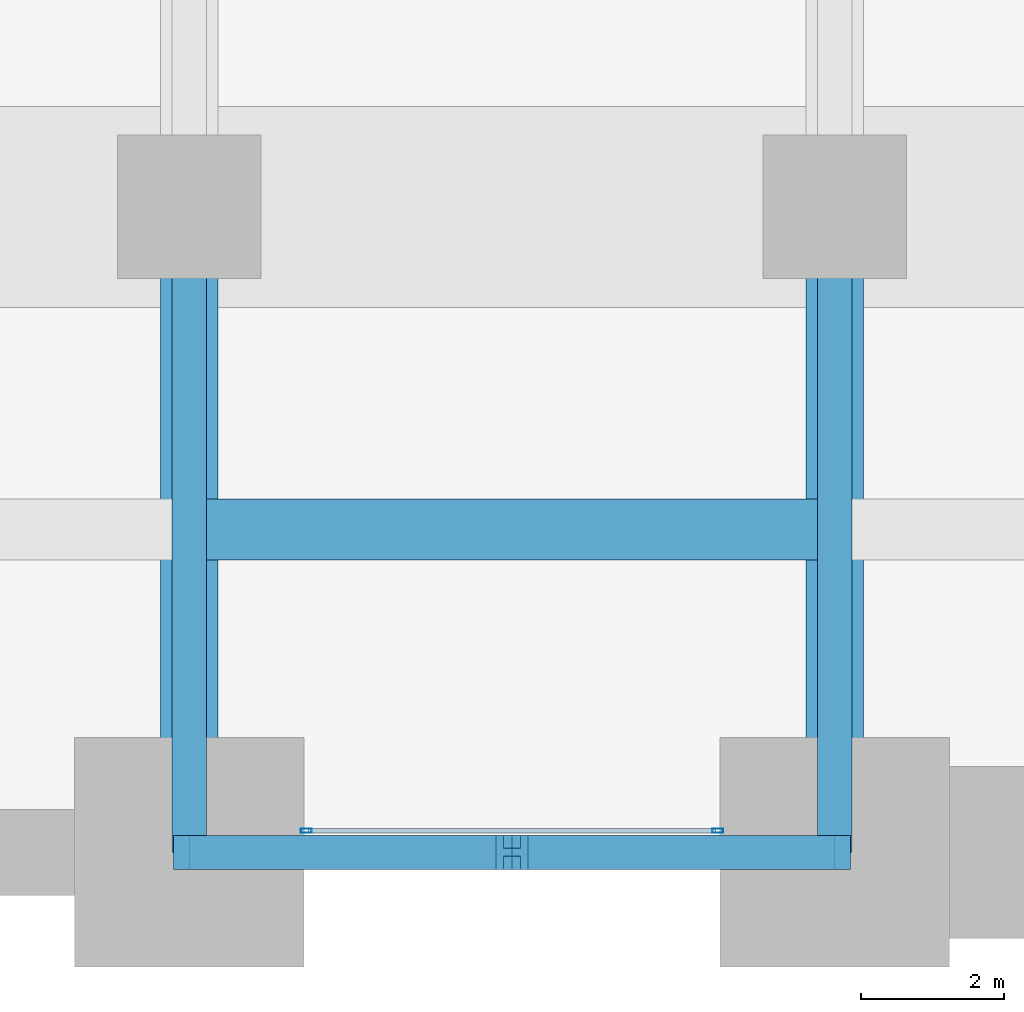
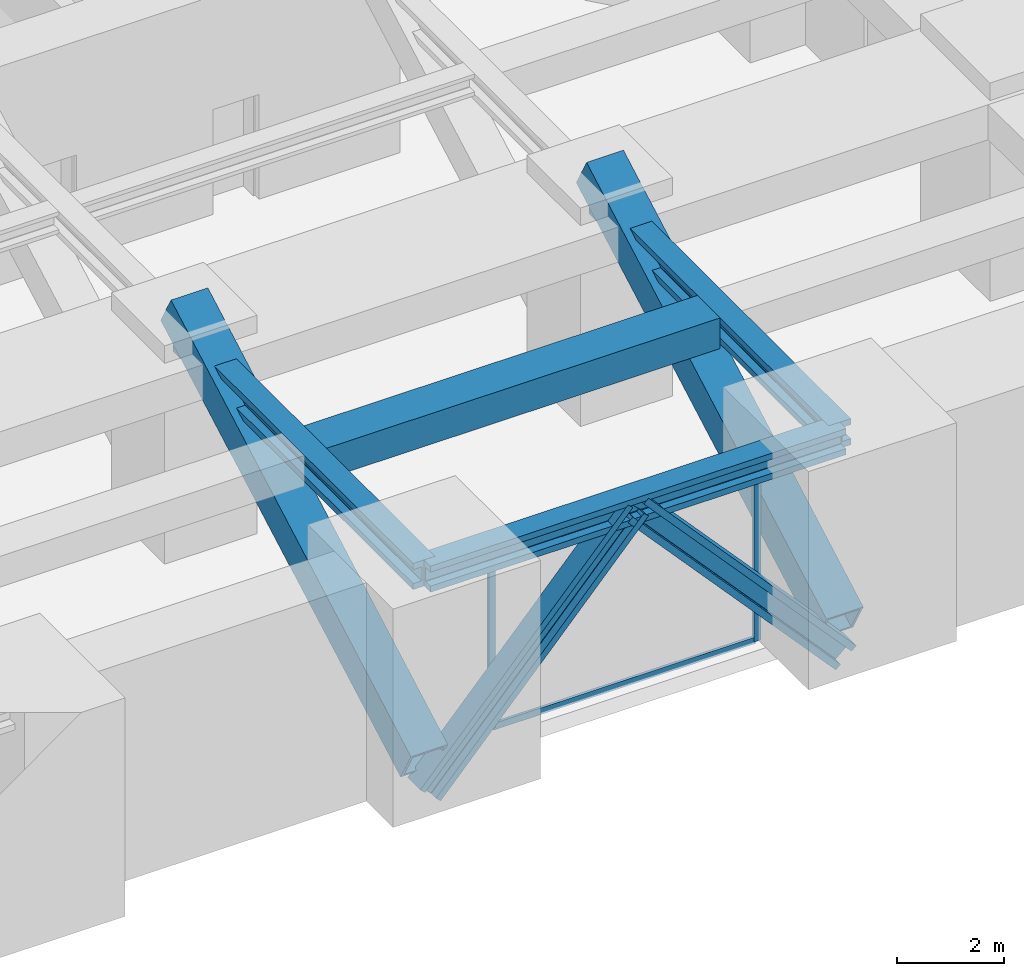
# One storey, part 13 of 38: 7 members, 4 beams, 1 element without a shape of its own.
"""IFC4 building model written with IfcOpenShell, lengths in metres."""

from ifc_helpers import new_model, si_unit, direction, frame, origin, origin_2d, place, context, subcontext, project, spatial, rectangle, hollow_rectangle, i_section, extrude, material, material_profile, profile_set, type_object, element, aggregate, save


model = new_model("IFC4")

# Units and contexts
model_context = context("Model", 3, precision=1e-05, world=origin(), true_north=direction((0.0, 1.0)))
body_context = subcontext(model_context, "Body", "Model", "MODEL_VIEW")
ifc_project = project(units=[si_unit("LENGTHUNIT", "METRE"), si_unit("AREAUNIT", "SQUARE_METRE"), si_unit("VOLUMEUNIT", "CUBIC_METRE"), si_unit("PLANEANGLEUNIT", "RADIAN"), si_unit("MASSUNIT", "GRAM", prefix="KILO")], contexts=[model_context])

# Site, building, storey
site_placement = place(None, origin())
site = spatial("IfcSite", under=ifc_project, at=site_placement, CompositionType="ELEMENT")
building_placement = place(site_placement, origin())
building = spatial("IfcBuilding", under=site, at=building_placement, Name="Zorevar Civic Tower", CompositionType="ELEMENT")
storey_placement = place(building_placement, frame((0.0, 0.0, 157.199951171875)))
storey = spatial("IfcBuildingStorey", under=building, at=storey_placement, Name="L38", CompositionType="ELEMENT", Elevation=157.199951171875)

# Beams
ifc_material_1 = material(Name="Concrete C50/60", Category="concrete")
ifc_material_profile_1 = material_profile(ifc_material_1, rectangle(XDim=0.85009765625, YDim=0.699951171875, at=origin_2d()), Name="RC 850x700")
ifc_profile_set_1 = profile_set([ifc_material_profile_1], Name="Concrete C50/60")
beam_type_1 = type_object("IfcBeamType", Name="Beam RC 850x700", PredefinedType="BEAM", material=ifc_profile_set_1)
beam_1_placement = place(storey_placement, frame((36.238037109375, 4.5, 4.25), z_axis=(1.0, 0.0, 0.0), x_axis=(0.0, 1.0, 0.0)))
element("IfcBeam", 1, at=beam_1_placement, inside=storey, type_object=beam_type_1, Name="Secondary beam L39", PredefinedType="BEAM", context=body_context, shape_type="SweptSolid", body=[
    extrude(rectangle(XDim=0.85009765625, YDim=0.699951171875, at=origin_2d()), origin(), (0.0, 0.0, 1.0), 8.52392578125),
])
ifc_material_2 = material(Name="Steel S460M (HISTAR 460)", Category="steel")
ifc_material_profile_2 = material_profile(ifc_material_2, i_section(OverallWidth=0.47607421875, OverallDepth=0.60009765625, WebThickness=0.10009765625, FlangeThickness=0.139892578125, FilletRadius=0.014892578125, at=origin_2d()), Name="HD 400x1299")
ifc_profile_set_2 = profile_set([ifc_material_profile_2], Name="Steel S460M (HISTAR 460)")
beam_type_2 = type_object("IfcBeamType", Name="Belt chord HD 400x1299", PredefinedType="BEAM", material=ifc_profile_set_2)
beam_2_placement = place(storey_placement, frame((36.0, 0.0, 4.300048828125), z_axis=(1.0, 0.0, 0.0), x_axis=(0.0, 1.0, 0.0)))
element("IfcBeam", 2, at=beam_2_placement, inside=storey, type_object=beam_type_2, Name="Belt chord L39", PredefinedType="BEAM", context=body_context, shape_type="SweptSolid", body=[
    extrude(i_section(OverallWidth=0.47607421875, OverallDepth=0.60009765625, WebThickness=0.10009765625, FlangeThickness=0.139892578125, FilletRadius=0.014892578125, at=origin_2d()), origin(), (0.0, 0.0, 1.0), 9.0),
])

# Members
ifc_material_3 = material(Name="Steel S460M (HISTAR 460)", Category="steel")
ifc_material_profile_3 = material_profile(ifc_material_3, i_section(OverallWidth=0.47607421875, OverallDepth=0.60009765625, WebThickness=0.10009765625, FlangeThickness=0.139892578125, FilletRadius=0.014892578125, at=origin_2d()), Name="HD 400x1299")
ifc_profile_set_3 = profile_set([ifc_material_profile_3], Name="Steel S460M (HISTAR 460)")
member_type_1 = type_object("IfcMemberType", Name="Belt strut HD 400x1299", PredefinedType="BRACE", material=ifc_profile_set_3)
for number, where, z_axis, x_axis, name in (
    (3, (36.0, 0.0, -0.64990234375), (0.672676426978, 0.0, 0.739936770669), (0.0, 1.0, 0.0), "Belt strut S L38"),
    (4, (45.0, 0.0, -0.64990234375), (-0.672676426978, 0.0, 0.739936770669), (0.0, -1.0, 0.0), "Belt strut S L38"),
):
    element("IfcMember", number, at=place(storey_placement, frame(where, z_axis=z_axis, x_axis=x_axis)), inside=storey, type_object=member_type_1, Name=name, PredefinedType="BRACE", context=body_context, shape_type="SweptSolid", body=[
        extrude(i_section(OverallWidth=0.47607421875, OverallDepth=0.60009765625, WebThickness=0.10009765625, FlangeThickness=0.139892578125, FilletRadius=0.014892578125, at=origin_2d()), origin(), (0.0, 0.0, 1.0), 6.689697265625),
    ])

# Curtain wall, members
ifc_material_4 = material(Name="Black aluminium louvres", Category="aluminium")
curtain_wall_type = type_object("IfcCurtainWallType", Name="Louvred curtain wall CW6 refuge", PredefinedType="NOTDEFINED", material=ifc_material_4)
curtain_wall_placement = place(storey_placement, origin())
curtain_wall = element("IfcCurtainWall", 5, at=curtain_wall_placement, inside=storey, type_object=curtain_wall_type, Name="CW6 L38", PredefinedType="NOTDEFINED")
ifc_material_5 = material(Name="Aluminium, black anodised", Category="aluminium")
ifc_material_profile_4 = material_profile(ifc_material_5, hollow_rectangle(XDim=0.06005859375, YDim=0.14990234375, WallThickness=0.00390625, at=origin_2d()), Name="AL 150x60x4")
ifc_profile_set_4 = profile_set([ifc_material_profile_4], Name="Aluminium, black anodised")
member_type_2 = type_object("IfcMemberType", Name="CW6 mullion AL 150x60x4", PredefinedType="MULLION", material=ifc_profile_set_4)
member_1_placement = place(storey_placement, frame((37.6298828125, 0.300048828125, 0.0), z_axis=(0.0, 0.0, 1.0), x_axis=(0.0, 1.0, 0.0)))
member_1 = element("IfcMember", 6, at=member_1_placement, type_object=member_type_2, Name="CW6 mullion 1", PredefinedType="MULLION", context=body_context, shape_type="SweptSolid", body=[
    extrude(hollow_rectangle(XDim=0.06005859375, YDim=0.14990234375, WallThickness=0.00390625, at=origin_2d()), origin(), (0.0, 0.0, 1.0), 3.800048828125),
])
member_2_placement = place(storey_placement, frame((43.3701171875, 0.300048828125, 0.0), z_axis=(0.0, 0.0, 1.0), x_axis=(0.0, 1.0, 0.0)))
member_2 = element("IfcMember", 7, at=member_2_placement, type_object=member_type_2, Name="CW6 mullion 2", PredefinedType="MULLION", context=body_context, shape_type="SweptSolid", body=[
    extrude(hollow_rectangle(XDim=0.06005859375, YDim=0.14990234375, WallThickness=0.00390625, at=origin_2d()), origin(), (0.0, 0.0, 1.0), 3.800048828125),
])
ifc_material_6 = material(Name="Aluminium, black anodised", Category="aluminium")
ifc_material_profile_5 = material_profile(ifc_material_6, hollow_rectangle(XDim=0.06005859375, YDim=0.14990234375, WallThickness=0.00390625, at=origin_2d()), Name="AL 150x60x4")
ifc_profile_set_5 = profile_set([ifc_material_profile_5], Name="Aluminium, black anodised")
member_type_3 = type_object("IfcMemberType", Name="CW6 transom AL 150x60x4", PredefinedType="USERDEFINED", material=ifc_profile_set_5)
member_3_placement = place(storey_placement, frame((37.659912109375, 0.300048828125, 0.030029296875), z_axis=(1.0, 0.0, 0.0), x_axis=(0.0, 1.0, 0.0)))
member_3 = element("IfcMember", 8, at=member_3_placement, type_object=member_type_3, Name="CW6 sill transom", ObjectType="TRANSOM", PredefinedType="USERDEFINED", context=body_context, shape_type="SweptSolid", body=[
    extrude(hollow_rectangle(XDim=0.06005859375, YDim=0.14990234375, WallThickness=0.00390625, at=origin_2d()), origin(), (0.0, 0.0, 1.0), 5.68017578125),
])
aggregate(curtain_wall, [member_1, member_2, member_3])

# Beams
ifc_material_7 = material(Name="Steel S460M (HISTAR 460)", Category="steel")
ifc_material_profile_6 = material_profile(ifc_material_7, i_section(OverallWidth=0.47607421875, OverallDepth=0.60009765625, WebThickness=0.10009765625, FlangeThickness=0.139892578125, FilletRadius=0.014892578125, at=origin_2d()), Name="HD 400x1299")
ifc_profile_set_6 = profile_set([ifc_material_profile_6], Name="Steel S460M (HISTAR 460)")
beam_type_3 = type_object("IfcBeamType", Name="Outrigger chord HD 400x1299", PredefinedType="BEAM", material=ifc_profile_set_6)
for number, where, z_axis, x_axis, name in (
    (9, (36.0, 0.0, 4.300048828125), (0.0, 1.0, 0.0), (-1.0, 0.0, 0.0), "Outrigger chord L39"),
    (10, (45.0, 0.0, 4.300048828125), (0.0, 1.0, 0.0), (-1.0, 0.0, 0.0), "Outrigger chord L39"),
):
    element("IfcBeam", number, at=place(storey_placement, frame(where, z_axis=z_axis, x_axis=x_axis)), inside=storey, type_object=beam_type_3, Name=name, PredefinedType="BEAM", context=body_context, shape_type="SweptSolid", body=[
        extrude(i_section(OverallWidth=0.47607421875, OverallDepth=0.60009765625, WebThickness=0.10009765625, FlangeThickness=0.139892578125, FilletRadius=0.014892578125, at=origin_2d()), origin(), (0.0, 0.0, 1.0), 9.0),
    ])

# Members
ifc_material_8 = material(Name="Steel S460M (HISTAR 460)", Category="steel")
ifc_material_profile_7 = material_profile(ifc_material_8, hollow_rectangle(XDim=0.800048828125, YDim=0.800048828125, WallThickness=0.06005859375, at=origin_2d()), Name="BOX 800x800x60")
ifc_profile_set_7 = profile_set([ifc_material_profile_7], Name="Steel S460M (HISTAR 460)")
member_type_4 = type_object("IfcMemberType", Name="Outrigger diagonal BOX 800x800x60", PredefinedType="BRACE", material=ifc_profile_set_7)
for number, where, z_axis, x_axis, name in (
    (11, (36.0, 9.0, 5.0), (0.0, -0.874157276122, -0.485642931179), (1.0, 0.0, 0.0), "Outrigger diagonal S L38"),
    (12, (45.0, 9.0, 5.0), (0.0, -0.874157276122, -0.485642931179), (1.0, 0.0, 0.0), "Outrigger diagonal S L38"),
):
    element("IfcMember", number, at=place(storey_placement, frame(where, z_axis=z_axis, x_axis=x_axis)), inside=storey, type_object=member_type_4, Name=name, PredefinedType="BRACE", context=body_context, shape_type="SweptSolid", body=[
        extrude(hollow_rectangle(XDim=0.800048828125, YDim=0.800048828125, WallThickness=0.06005859375, at=origin_2d()), origin(), (0.0, 0.0, 1.0), 10.295654296875),
    ])

save(model, "model.ifc")
